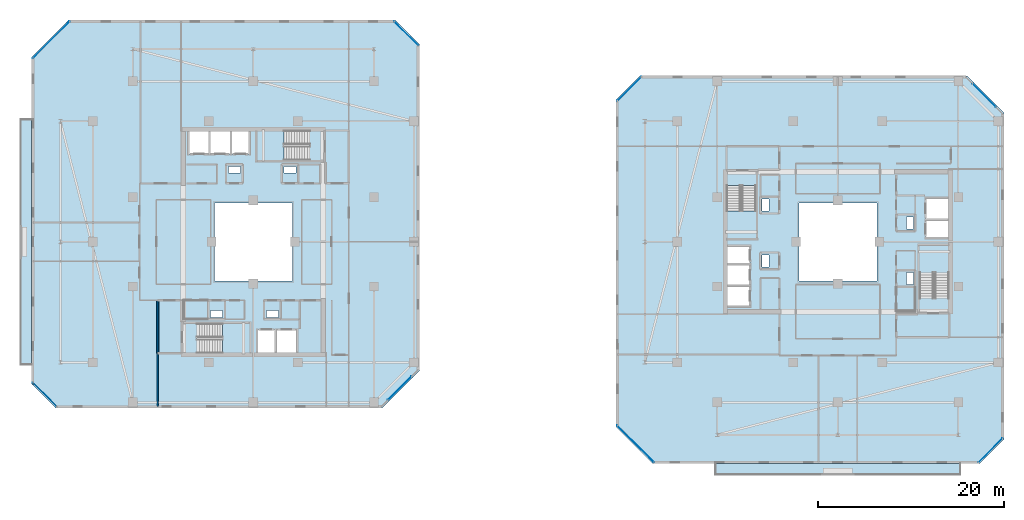
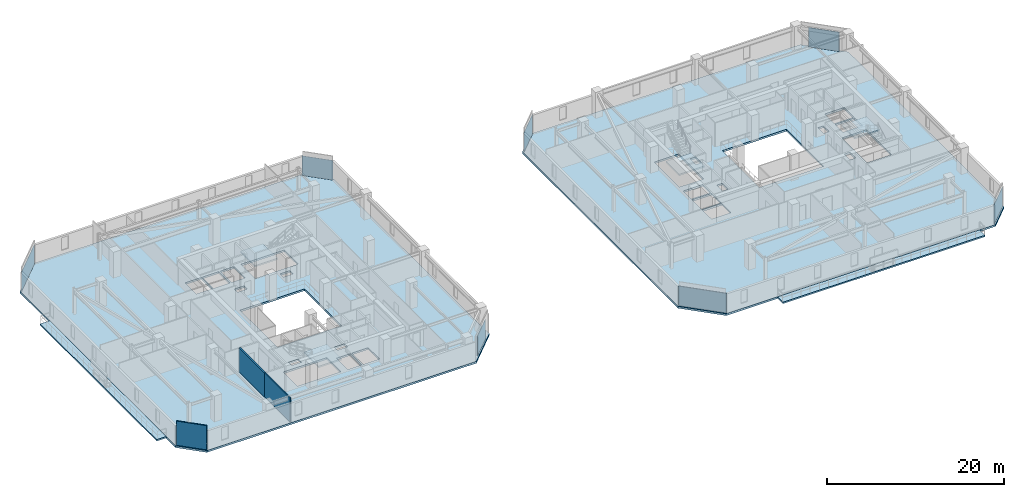
# One storey, part 18 of 33: 8 plates, 8 slabs, 3 walls, 12 elements without a shape of their own.
"""IFC4 building model written with IfcOpenShell, lengths in metres."""

from ifc_helpers import new_model, si_unit, direction, frame, frame_2d, origin, origin_2d, place, context, subcontext, project, spatial, polyline, rectangle, outline, extrude, material, layer, layer_set, type_object, element, aggregate, save


model = new_model("IFC4")

# Units and contexts
model_context = context("Model", 3, precision=1e-05, world=origin(), true_north=direction((0.0, 1.0)))
body_context = subcontext(model_context, "Body", "Model", "MODEL_VIEW")
ifc_project = project(units=[si_unit("LENGTHUNIT", "METRE"), si_unit("AREAUNIT", "SQUARE_METRE"), si_unit("VOLUMEUNIT", "CUBIC_METRE"), si_unit("PLANEANGLEUNIT", "RADIAN"), si_unit("MASSUNIT", "GRAM", prefix="KILO")], contexts=[model_context])

# Site, building, storey
site_placement = place(None, origin())
site = spatial("IfcSite", under=ifc_project, at=site_placement, CompositionType="ELEMENT")
building_placement = place(site_placement, origin())
building = spatial("IfcBuilding", under=site, at=building_placement, Name="Thornwick Lancets Civic Towers", CompositionType="ELEMENT")
storey_placement = place(building_placement, frame((0.0, 0.0, 203.699951171875)))
storey = spatial("IfcBuildingStorey", under=building, at=storey_placement, Name="L54", CompositionType="ELEMENT", Elevation=203.699951171875)

# Curtain wall, plate
ifc_material_1 = material(Name="High-zone chamfered-corner unitised glass curtain wall", Category="glass")
curtain_wall_type = type_object("IfcCurtainWallType", Name="CW_SYS_05", PredefinedType="NOTDEFINED", material=ifc_material_1)
curtain_wall_1_placement = place(storey_placement, origin())
curtain_wall_1 = element("IfcCurtainWall", 1, at=curtain_wall_1_placement, inside=storey, type_object=curtain_wall_type, Name="L54 Curtain Wall CW-L54-A-E1", PredefinedType="NOTDEFINED")
ifc_material_2 = material(Name="Low-e double glazing clear glass", Category="glass")
ifc_layer_1 = layer(ifc_material_2, 0.035888671875, Name="Low-e double glazing clear glass")
ifc_layer_set_1 = layer_set([ifc_layer_1], Name="Low-e double glazing clear glass")
plate_type = type_object("IfcPlateType", Name="CW_PNL_GLASS", PredefinedType="CURTAIN_PANEL", material=ifc_layer_set_1)
plate_1_placement = place(storey_placement, frame((41.281005859375, 11.218994140625, 0.0), z_axis=(0.0, 0.0, 1.0), x_axis=(0.707106781187, 0.707106781187, 0.0)))
plate_1 = element("IfcPlate", 2, at=plate_1_placement, type_object=plate_type, Name="CW-L54-A-E1 Panel 0", PredefinedType="CURTAIN_PANEL", context=body_context, shape_type="SweptSolid", body=[
    extrude(rectangle(XDim=3.5771484375, YDim=0.035888671875, at=origin_2d()), origin(), (0.0, 0.0, 1.0), 2.699951171875),
])
aggregate(curtain_wall_1, [plate_1])

curtain_wall_2_placement = place(storey_placement, origin())
curtain_wall_2 = element("IfcCurtainWall", 3, at=curtain_wall_2_placement, inside=storey, type_object=curtain_wall_type, Name="L54 Curtain Wall CW-L54-A-E3", PredefinedType="NOTDEFINED")
plate_2_placement = place(storey_placement, frame((41.972900390625, 49.472900390625, 0.0), z_axis=(0.0, 0.0, 1.0), x_axis=(-0.707106781187, 0.707106781187, 0.0)))
plate_2 = element("IfcPlate", 4, at=plate_2_placement, type_object=plate_type, Name="CW-L54-A-E3 Panel 0", PredefinedType="CURTAIN_PANEL", context=body_context, shape_type="SweptSolid", body=[
    extrude(rectangle(XDim=3.649169921875, YDim=0.035888671875, at=origin_2d()), origin(), (0.0, 0.0, 1.0), 2.699951171875),
])
aggregate(curtain_wall_2, [plate_2])

curtain_wall_3_placement = place(storey_placement, origin())
curtain_wall_3 = element("IfcCurtainWall", 5, at=curtain_wall_3_placement, inside=storey, type_object=curtain_wall_type, Name="L54 Curtain Wall CW-L54-A-E5", PredefinedType="NOTDEFINED")
plate_3_placement = place(storey_placement, frame((3.718994140625, 48.781005859375, 0.0), z_axis=(0.0, 0.0, 1.0), x_axis=(-0.707106781187, -0.707106781187, 0.0)))
plate_3 = element("IfcPlate", 6, at=plate_3_placement, type_object=plate_type, Name="CW-L54-A-E5 Panel 0", PredefinedType="CURTAIN_PANEL", context=body_context, shape_type="SweptSolid", body=[
    extrude(rectangle(XDim=5.593994140625, YDim=0.035888671875, at=origin_2d()), origin(), (0.0, 0.0, 1.0), 2.699951171875),
])
aggregate(curtain_wall_3, [plate_3])

curtain_wall_4_placement = place(storey_placement, origin())
curtain_wall_4 = element("IfcCurtainWall", 7, at=curtain_wall_4_placement, inside=storey, type_object=curtain_wall_type, Name="L54 Curtain Wall CW-L54-A-E7", PredefinedType="NOTDEFINED")
plate_4_placement = place(storey_placement, frame((3.027099609375, 10.527099609375, 0.0), z_axis=(0.0, 0.0, 1.0), x_axis=(0.707106781187, -0.707106781187, 0.0)))
plate_4 = element("IfcPlate", 8, at=plate_4_placement, type_object=plate_type, Name="CW-L54-A-E7 Panel 0", PredefinedType="CURTAIN_PANEL", context=body_context, shape_type="SweptSolid", body=[
    extrude(rectangle(XDim=3.649169921875, YDim=0.035888671875, at=origin_2d()), origin(), (0.0, 0.0, 1.0), 2.699951171875),
])
aggregate(curtain_wall_4, [plate_4])

curtain_wall_5_placement = place(storey_placement, origin())
curtain_wall_5 = element("IfcCurtainWall", 9, at=curtain_wall_5_placement, inside=storey, type_object=curtain_wall_type, Name="L54 Curtain Wall CW-L54-B-E1", PredefinedType="NOTDEFINED")
plate_5_placement = place(storey_placement, frame((104.972900390625, 4.527099609375, 0.0), z_axis=(0.0, 0.0, 1.0), x_axis=(0.707106781187, 0.707106781187, 0.0)))
plate_5 = element("IfcPlate", 10, at=plate_5_placement, type_object=plate_type, Name="CW-L54-B-E1 Panel 0", PredefinedType="CURTAIN_PANEL", context=body_context, shape_type="SweptSolid", body=[
    extrude(rectangle(XDim=3.649169921875, YDim=0.035888671875, at=origin_2d()), origin(), (0.0, 0.0, 1.0), 2.699951171875),
])
aggregate(curtain_wall_5, [plate_5])

curtain_wall_6_placement = place(storey_placement, origin())
curtain_wall_6 = element("IfcCurtainWall", 11, at=curtain_wall_6_placement, inside=storey, type_object=curtain_wall_type, Name="L54 Curtain Wall CW-L54-B-E3", PredefinedType="NOTDEFINED")
plate_6_placement = place(storey_placement, frame((104.281005859375, 42.781005859375, 0.0), z_axis=(0.0, 0.0, 1.0), x_axis=(-0.707106781187, 0.707106781187, 0.0)))
plate_6 = element("IfcPlate", 12, at=plate_6_placement, type_object=plate_type, Name="CW-L54-B-E3 Panel 0", PredefinedType="CURTAIN_PANEL", context=body_context, shape_type="SweptSolid", body=[
    extrude(rectangle(XDim=3.5771484375, YDim=0.035888671875, at=origin_2d()), origin(), (0.0, 0.0, 1.0), 2.699951171875),
])
aggregate(curtain_wall_6, [plate_6])

curtain_wall_7_placement = place(storey_placement, origin())
curtain_wall_7 = element("IfcCurtainWall", 13, at=curtain_wall_7_placement, inside=storey, type_object=curtain_wall_type, Name="L54 Curtain Wall CW-L54-B-E5", PredefinedType="NOTDEFINED")
plate_7_placement = place(storey_placement, frame((66.027099609375, 43.472900390625, 0.0), z_axis=(0.0, 0.0, 1.0), x_axis=(-0.707106781187, -0.707106781187, 0.0)))
plate_7 = element("IfcPlate", 14, at=plate_7_placement, type_object=plate_type, Name="CW-L54-B-E5 Panel 0", PredefinedType="CURTAIN_PANEL", context=body_context, shape_type="SweptSolid", body=[
    extrude(rectangle(XDim=3.649169921875, YDim=0.035888671875, at=origin_2d()), origin(), (0.0, 0.0, 1.0), 2.699951171875),
])
aggregate(curtain_wall_7, [plate_7])

curtain_wall_8_placement = place(storey_placement, origin())
curtain_wall_8 = element("IfcCurtainWall", 15, at=curtain_wall_8_placement, inside=storey, type_object=curtain_wall_type, Name="L54 Curtain Wall CW-L54-B-E7", PredefinedType="NOTDEFINED")
plate_8_placement = place(storey_placement, frame((66.718994140625, 5.218994140625, 0.0), z_axis=(0.0, 0.0, 1.0), x_axis=(0.707106781187, -0.707106781187, 0.0)))
plate_8 = element("IfcPlate", 16, at=plate_8_placement, type_object=plate_type, Name="CW-L54-B-E7 Panel 0", PredefinedType="CURTAIN_PANEL", context=body_context, shape_type="SweptSolid", body=[
    extrude(rectangle(XDim=5.593994140625, YDim=0.035888671875, at=origin_2d()), origin(), (0.0, 0.0, 1.0), 2.699951171875),
])
aggregate(curtain_wall_8, [plate_8])

# Slabs
ifc_material_3 = material(Name="Post-tensioned concrete C40/50", Category="concrete")
ifc_layer_2 = layer(ifc_material_3, 0.199951171875, Name="Post-tensioned concrete C40/50")
ifc_layer_set_2 = layer_set([ifc_layer_2], Name="Post-tensioned concrete C40/50")
slab_type_1 = type_object("IfcSlabType", Name="SLAB_BALCONY_200", PredefinedType="FLOOR", material=ifc_layer_set_2)
slab_1_placement = place(storey_placement, frame((0.0, 0.0, -0.199951171875)))
element("IfcSlab", 17, at=slab_1_placement, inside=storey, type_object=slab_type_1, Name="L54 Tower A Planted Balcony Slab W", PredefinedType="FLOOR", context=body_context, shape_type="SweptSolid", body=[
    extrude(outline(polyline([(0.35009765625, 13.800048828125), (1.60009765625, 13.800048828125), (1.60009765625, 40.199951171875), (0.35009765625, 40.199951171875), (0.35009765625, 13.800048828125)])), origin(), (0.0, 0.0, 1.0), 0.199951171875),
])
slab_2_placement = place(storey_placement, frame((0.0, 0.0, -0.199951171875)))
element("IfcSlab", 18, at=slab_2_placement, inside=storey, type_object=slab_type_1, Name="L54 Tower B Planted Balcony Slab S", PredefinedType="FLOOR", context=body_context, shape_type="SweptSolid", body=[
    extrude(outline(polyline([(75.300048828125, 1.85009765625), (101.699951171875, 1.85009765625), (101.699951171875, 3.10009765625), (75.300048828125, 3.10009765625), (75.300048828125, 1.85009765625)])), origin(), (0.0, 0.0, 1.0), 0.199951171875),
])

# Stair, slab
ifc_material_4 = material(Name="Concrete C40/50", Category="concrete")
stair_type = type_object("IfcStairType", Name="STAIR_DL_3600", PredefinedType="HALF_TURN_STAIR", material=ifc_material_4)
stair_1_placement = place(storey_placement, origin())
stair_1 = element("IfcStair", 19, at=stair_1_placement, inside=storey, type_object=stair_type, Name="L54 Tower A South Exit Stair ST-A1", PredefinedType="HALF_TURN_STAIR")
ifc_layer_3 = layer(ifc_material_4, 0.25, Name="Concrete C40/50")
ifc_layer_set_3 = layer_set([ifc_layer_3], Name="Concrete C40/50")
slab_type_2 = type_object("IfcSlabType", Name="SLAB_LANDING_200", PredefinedType="LANDING", material=ifc_layer_set_3)
slab_3_placement = place(storey_placement, frame((0.0, 0.0, 1.60302734375)))
slab_3 = element("IfcSlab", 20, at=slab_3_placement, type_object=slab_type_2, Name="ST-A1 landing 1", PredefinedType="LANDING", context=body_context, shape_type="SweptSolid", body=[
    extrude(outline(polyline([(22.169921875, 14.93994140625), (25.14990234375, 14.93994140625), (25.14990234375, 18.260009765625), (22.169921875, 18.260009765625), (22.169921875, 14.93994140625)])), origin(), (0.0, 0.0, 1.0), 0.199951171875),
])
aggregate(stair_1, [slab_3])

stair_2_placement = place(storey_placement, origin())
stair_2 = element("IfcStair", 21, at=stair_2_placement, inside=storey, type_object=stair_type, Name="L54 Tower A North Exit Stair ST-A2", PredefinedType="HALF_TURN_STAIR")
slab_4_placement = place(storey_placement, frame((0.0, 0.0, 1.60302734375)))
slab_4 = element("IfcSlab", 22, at=slab_4_placement, type_object=slab_type_2, Name="ST-A2 landing 1", PredefinedType="LANDING", context=body_context, shape_type="SweptSolid", body=[
    extrude(outline(polyline([(28.830078125, 39.06005859375), (25.85009765625, 39.06005859375), (25.85009765625, 35.739990234375), (28.830078125, 35.739990234375), (28.830078125, 39.06005859375)])), origin(), (0.0, 0.0, 1.0), 0.199951171875),
])
aggregate(stair_2, [slab_4])

stair_3_placement = place(storey_placement, origin())
stair_3 = element("IfcStair", 23, at=stair_3_placement, inside=storey, type_object=stair_type, Name="L54 Tower B East Exit Stair ST-B1", PredefinedType="HALF_TURN_STAIR")
slab_5_placement = place(storey_placement, frame((0.0, 0.0, 1.60302734375)))
slab_5 = element("IfcSlab", 24, at=slab_5_placement, type_object=slab_type_2, Name="ST-B1 landing 1", PredefinedType="LANDING", context=body_context, shape_type="SweptSolid", body=[
    extrude(outline(polyline([(100.56005859375, 23.669921875), (100.56005859375, 26.64990234375), (97.239990234375, 26.64990234375), (97.239990234375, 23.669921875), (100.56005859375, 23.669921875)])), origin(), (0.0, 0.0, 1.0), 0.199951171875),
])
aggregate(stair_3, [slab_5])

stair_4_placement = place(storey_placement, origin())
stair_4 = element("IfcStair", 25, at=stair_4_placement, inside=storey, type_object=stair_type, Name="L54 Tower B West Exit Stair ST-B2", PredefinedType="HALF_TURN_STAIR")
slab_6_placement = place(storey_placement, frame((0.0, 0.0, 1.60302734375)))
slab_6 = element("IfcSlab", 26, at=slab_6_placement, type_object=slab_type_2, Name="ST-B2 landing 1", PredefinedType="LANDING", context=body_context, shape_type="SweptSolid", body=[
    extrude(outline(polyline([(76.43994140625, 30.330078125), (76.43994140625, 27.35009765625), (79.760009765625, 27.35009765625), (79.760009765625, 30.330078125), (76.43994140625, 30.330078125)])), origin(), (0.0, 0.0, 1.0), 0.199951171875),
])
aggregate(stair_4, [slab_6])

# Slabs
ifc_layer_4 = layer(ifc_material_3, 0.260009765625, Name="Post-tensioned concrete C40/50")
ifc_layer_set_4 = layer_set([ifc_layer_4], Name="Post-tensioned concrete C40/50")
slab_type_3 = type_object("IfcSlabType", Name="SLAB_PT_260", PredefinedType="FLOOR", material=ifc_layer_set_4)
slab_7_placement = place(storey_placement, frame((0.0, 0.0, -0.260009765625)))
element("IfcSlab", 27, at=slab_7_placement, inside=storey, type_object=slab_type_3, Name="L54 Tower A Floor Slab", PredefinedType="FLOOR", context=body_context, shape_type="SweptSolid", body=[
    extrude(outline(polyline([(4.199951171875, 9.10009765625), (39.4150390625, 9.10009765625), (43.39990234375, 13.0849609375), (43.39990234375, 48.300048828125), (40.800048828125, 50.89990234375), (5.5849609375, 50.89990234375), (1.60009765625, 46.9150390625), (1.60009765625, 11.699951171875), (4.199951171875, 9.10009765625)]), holes=[polyline([(21.300048828125, 22.800048828125), (29.699951171875, 22.800048828125), (29.699951171875, 31.199951171875), (21.300048828125, 31.199951171875), (21.300048828125, 22.800048828125)]), polyline([(19.429931640625, 15.0), (25.10009765625, 15.0), (25.10009765625, 18.199951171875), (19.429931640625, 18.199951171875), (19.429931640625, 15.0)]), polyline([(31.570068359375, 39.0), (25.89990234375, 39.0), (25.89990234375, 35.800048828125), (31.570068359375, 35.800048828125), (31.570068359375, 39.0)]), polyline([(26.0, 15.0), (27.800048828125, 15.0), (27.800048828125, 17.550048828125), (26.0, 17.550048828125), (26.0, 15.0)]), polyline([(28.0, 15.0), (30.14990234375, 15.0), (30.14990234375, 17.550048828125), (28.0, 17.550048828125), (28.0, 15.0)]), polyline([(23.199951171875, 36.449951171875), (25.0, 36.449951171875), (25.0, 39.0), (23.199951171875, 39.0), (23.199951171875, 36.449951171875)]), polyline([(20.85009765625, 36.449951171875), (23.0, 36.449951171875), (23.0, 39.0), (20.85009765625, 39.0), (20.85009765625, 36.449951171875)]), polyline([(18.60009765625, 36.449951171875), (20.699951171875, 36.449951171875), (20.699951171875, 39.0), (18.60009765625, 39.0), (18.60009765625, 36.449951171875)]), polyline([(26.89990234375, 18.85009765625), (28.199951171875, 18.85009765625), (28.199951171875, 19.580078125), (26.89990234375, 19.580078125), (26.89990234375, 18.85009765625)]), polyline([(20.89990234375, 18.85009765625), (22.199951171875, 18.85009765625), (22.199951171875, 19.580078125), (20.89990234375, 19.580078125), (20.89990234375, 18.85009765625)]), polyline([(22.800048828125, 34.419921875), (24.10009765625, 34.419921875), (24.10009765625, 35.14990234375), (22.800048828125, 35.14990234375), (22.800048828125, 34.419921875)]), polyline([(28.800048828125, 34.419921875), (30.10009765625, 34.419921875), (30.10009765625, 35.14990234375), (28.800048828125, 35.14990234375), (28.800048828125, 34.419921875)])]), origin(), (0.0, 0.0, 1.0), 0.260009765625),
])
slab_8_placement = place(storey_placement, frame((0.0, 0.0, -0.260009765625)))
element("IfcSlab", 28, at=slab_8_placement, inside=storey, type_object=slab_type_3, Name="L54 Tower B Floor Slab", PredefinedType="FLOOR", context=body_context, shape_type="SweptSolid", body=[
    extrude(outline(polyline([(68.5849609375, 3.10009765625), (103.800048828125, 3.10009765625), (106.39990234375, 5.699951171875), (106.39990234375, 40.9150390625), (102.4150390625, 44.89990234375), (67.199951171875, 44.89990234375), (64.60009765625, 42.300048828125), (64.60009765625, 7.0849609375), (68.5849609375, 3.10009765625)]), holes=[polyline([(84.300048828125, 22.800048828125), (92.699951171875, 22.800048828125), (92.699951171875, 31.199951171875), (84.300048828125, 31.199951171875), (84.300048828125, 22.800048828125)]), polyline([(100.5, 20.929931640625), (100.5, 26.60009765625), (97.300048828125, 26.60009765625), (97.300048828125, 20.929931640625), (100.5, 20.929931640625)]), polyline([(76.5, 33.070068359375), (76.5, 27.39990234375), (79.699951171875, 27.39990234375), (79.699951171875, 33.070068359375), (76.5, 33.070068359375)]), polyline([(97.949951171875, 27.5), (100.5, 27.5), (100.5, 29.300048828125), (97.949951171875, 29.300048828125), (97.949951171875, 27.5)]), polyline([(97.949951171875, 29.5), (100.5, 29.5), (100.5, 31.64990234375), (97.949951171875, 31.64990234375), (97.949951171875, 29.5)]), polyline([(76.5, 24.699951171875), (79.050048828125, 24.699951171875), (79.050048828125, 26.5), (76.5, 26.5), (76.5, 24.699951171875)]), polyline([(76.5, 22.35009765625), (79.050048828125, 22.35009765625), (79.050048828125, 24.5), (76.5, 24.5), (76.5, 22.35009765625)]), polyline([(76.5, 20.10009765625), (79.050048828125, 20.10009765625), (79.050048828125, 22.199951171875), (76.5, 22.199951171875), (76.5, 20.10009765625)]), polyline([(95.919921875, 28.39990234375), (96.64990234375, 28.39990234375), (96.64990234375, 29.699951171875), (95.919921875, 29.699951171875), (95.919921875, 28.39990234375)]), polyline([(95.919921875, 22.39990234375), (96.64990234375, 22.39990234375), (96.64990234375, 23.699951171875), (95.919921875, 23.699951171875), (95.919921875, 22.39990234375)]), polyline([(80.35009765625, 24.300048828125), (81.080078125, 24.300048828125), (81.080078125, 25.60009765625), (80.35009765625, 25.60009765625), (80.35009765625, 24.300048828125)]), polyline([(80.35009765625, 30.300048828125), (81.080078125, 30.300048828125), (81.080078125, 31.60009765625), (80.35009765625, 31.60009765625), (80.35009765625, 30.300048828125)])]), origin(), (0.0, 0.0, 1.0), 0.260009765625),
])

# Walls
ifc_material_5 = material(Name="Concrete blockwork C40/50", Category="masonry")
ifc_layer_5 = layer(ifc_material_5, 0.199951171875, Name="Concrete blockwork C40/50")
ifc_layer_set_5 = layer_set([ifc_layer_5], Name="Concrete blockwork C40/50")
wall_type_1 = type_object("IfcWallType", Name="WALL_COMP_200", PredefinedType="STANDARD", material=ifc_layer_set_5)
wall_1_placement = place(storey_placement, frame((15.199951171875, 20.699951171875, 0.0), z_axis=(0.0, 0.0, 1.0), x_axis=(0.0, -1.0, 0.0)))
element("IfcWall", 29, at=wall_1_placement, inside=storey, type_object=wall_type_1, Name="L54 Partition L54-A-FFLOB1 E4", PredefinedType="STANDARD", context=body_context, shape_type="SweptSolid", body=[
    extrude(rectangle(XDim=5.699951171875, YDim=0.199951171875, at=frame_2d((2.85009765625, 0.0))), origin(), (0.0, 0.0, 1.0), 3.340087890625),
])
ifc_material_6 = material(Name="Acoustic gypsum board partition")
ifc_layer_6 = layer(ifc_material_6, 0.1201171875, Name="Acoustic gypsum board partition")
ifc_layer_set_6 = layer_set([ifc_layer_6], Name="Acoustic gypsum board partition")
wall_type_2 = type_object("IfcWallType", Name="WALL_PART_120", PredefinedType="PARTITIONING", material=ifc_layer_set_6)
wall_2_placement = place(storey_placement, frame((15.199951171875, 15.0, 0.0), z_axis=(0.0, 0.0, 1.0), x_axis=(0.0, -1.0, 0.0)))
element("IfcWall", 30, at=wall_2_placement, inside=storey, type_object=wall_type_2, Name="L54 Partition L54-A-W1 E7", PredefinedType="PARTITIONING", context=body_context, shape_type="SweptSolid", body=[
    extrude(rectangle(XDim=5.719970703125, YDim=0.1201171875, at=frame_2d((2.85986328125, 0.0))), origin(), (0.0, 0.0, 1.0), 3.340087890625),
])
wall_3_placement = place(storey_placement, frame((4.274658203125, 9.280029296875, 0.0), z_axis=(0.0, 0.0, 1.0), x_axis=(-0.707106781187, 0.707106781187, 0.0)))
element("IfcWall", 31, at=wall_3_placement, inside=storey, type_object=wall_type_2, Name="L54 Partition L54-A-W1 E9", PredefinedType="PARTITIONING", context=body_context, shape_type="SweptSolid", body=[
    extrude(rectangle(XDim=3.52783203125, YDim=0.1201171875, at=frame_2d((1.763916015625, 0.0))), origin(), (0.0, 0.0, 1.0), 3.340087890625),
])

save(model, "model.ifc")
